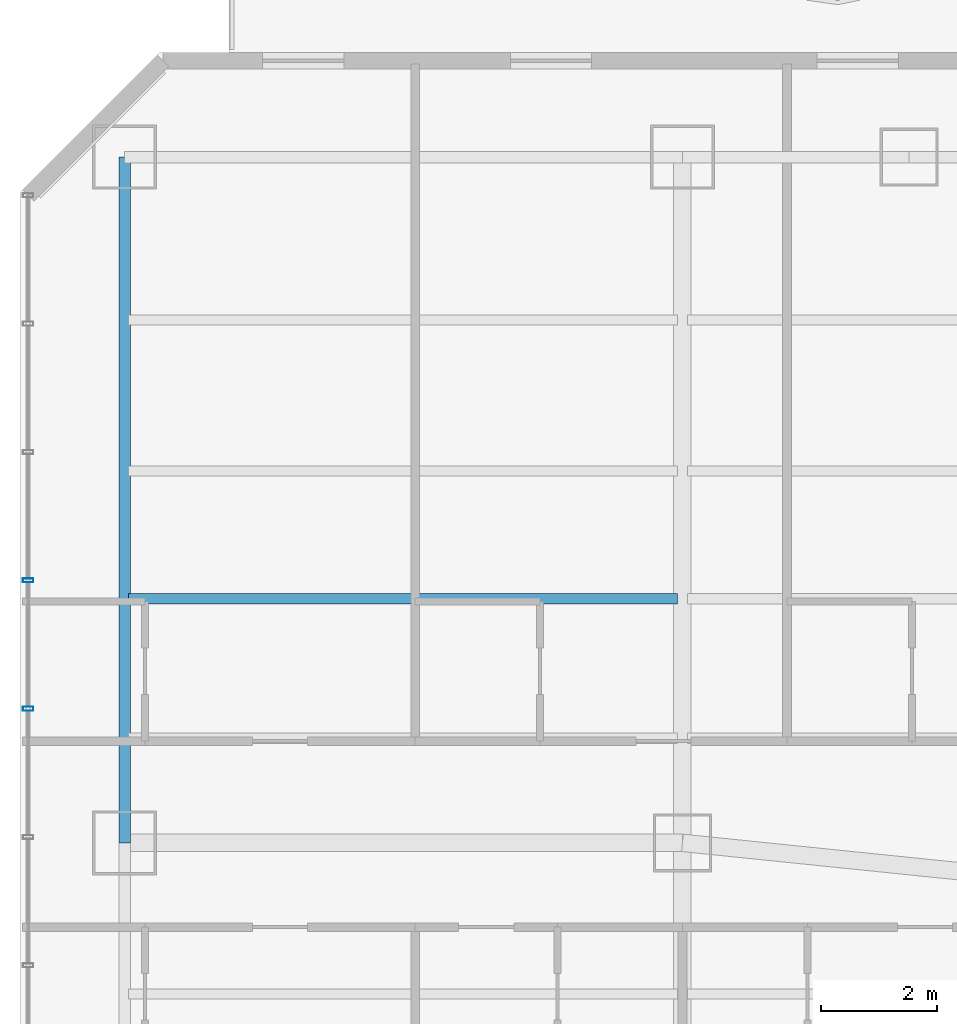
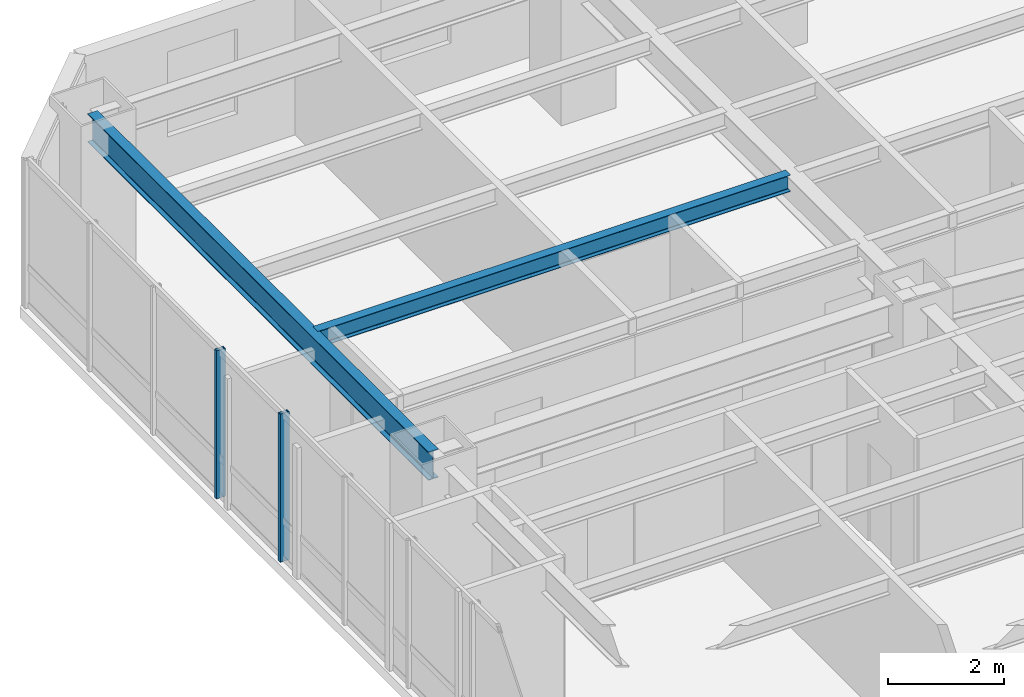
# One storey, part 14 of 32: 2 beams, 2 members, 1 element without a shape of its own.
"""IFC4 building model written with IfcOpenShell, lengths in metres."""

import ifcopenshell
import ifcopenshell.guid

model = None  # the IFC model being written
_history = None  # IfcOwnerHistory: only IFC2X3 demands one
_inside = {}  # id of a spatial element -> (the spatial element, [elements in it])
_under = {}  # id of a project, library or spatial element -> (it, [spatial elements below it])
_declared = {}  # id of a project -> (the project, [libraries it declares])
_typed = {}  # id of a type object -> (the type object, [elements of that type])
_made_of = {}  # id of a material, layer set ... -> (it, [elements and type objects made of it])


def new_model(schema):
    """Start an empty IFC model of exactly this schema.

    Asked for "IFC4X3", IfcOpenShell would pick the latest addendum, in which some entities
    have other attributes; the version numbers below select the first issue.
    IFC2X3 requires an IfcOwnerHistory on every rooted entity: one is made here for all.
    """
    global model, _history
    if schema == "IFC4X3":
        model = ifcopenshell.file(schema_version=(4, 3, 0, 0))
    else:
        model = ifcopenshell.file(schema=schema)
    _inside.clear()
    _under.clear()
    _declared.clear()
    _typed.clear()
    _made_of.clear()
    _history = None
    if model.schema == "IFC2X3":
        org = make("IfcOrganization", Name="unknown")
        user = make(
            "IfcPersonAndOrganization",
            ThePerson=make("IfcPerson", FamilyName="unknown"),
            TheOrganization=org,
        )
        app = make(
            "IfcApplication",
            ApplicationDeveloper=org,
            Version="unknown",
            ApplicationFullName="unknown",
            ApplicationIdentifier="unknown",
        )
        _history = make(
            "IfcOwnerHistory",
            OwningUser=user,
            OwningApplication=app,
            ChangeAction="ADDED",
            CreationDate=0,
        )
    return model


def make(cls, **values):
    """One entity of the class cls with the attributes given. An attribute that is None is left unset."""
    return model.create_entity(
        cls, **{name: value for name, value in values.items() if value is not None}
    )


def rooted(cls, **values):
    """An entity with a GlobalId (a new one), such as an element, a storey or a relation."""
    return make(cls, GlobalId=ifcopenshell.guid.new(), OwnerHistory=_history, **values)


def si_unit(unit_type, name, prefix=None):
    """IfcSIUnit, for example si_unit("LENGTHUNIT", "METRE", prefix="MILLI")."""
    return make("IfcSIUnit", UnitType=unit_type, Prefix=prefix, Name=name)


def assignment(units):
    """IfcUnitAssignment: the units of a project."""
    return None if units is None else make("IfcUnitAssignment", Units=units)


def point(xyz):
    """IfcCartesianPoint."""
    return None if xyz is None else make("IfcCartesianPoint", Coordinates=xyz)


def direction(xyz):
    """IfcDirection."""
    return None if xyz is None else make("IfcDirection", DirectionRatios=xyz)


def frame(location, z_axis=None, x_axis=None):
    """IfcAxis2Placement3D, a coordinate frame: its origin and axes. An axis left out is left unset."""
    return make(
        "IfcAxis2Placement3D",
        Location=point(location),
        Axis=direction(z_axis),
        RefDirection=direction(x_axis),
    )


def frame_2d(location, x_axis=None):
    """IfcAxis2Placement2D, a coordinate frame in the plane: its origin and x axis."""
    return make(
        "IfcAxis2Placement2D", Location=point(location), RefDirection=direction(x_axis)
    )


def origin():
    """The frame at (0, 0, 0) with its axes left unset."""
    return frame((0.0, 0.0, 0.0))


def origin_2d():
    """The frame at (0, 0) in the plane with its x axis left unset."""
    return frame_2d((0.0, 0.0))


def place(relative_to, where):
    """IfcLocalPlacement: puts the frame where relative to a parent placement (None: the world)."""
    return make(
        "IfcLocalPlacement", PlacementRelTo=relative_to, RelativePlacement=where
    )


def context(
    kind, dimensions, precision=None, world=None, true_north=None, identifier=None
):
    """IfcGeometricRepresentationContext, for example the 3D "Model" context."""
    return make(
        "IfcGeometricRepresentationContext",
        ContextIdentifier=identifier,
        ContextType=kind,
        CoordinateSpaceDimension=dimensions,
        Precision=precision,
        WorldCoordinateSystem=world,
        TrueNorth=true_north,
    )


def subcontext(parent, identifier, kind, view, scale=None):
    """IfcGeometricRepresentationSubContext, for example "Body" below "Model"."""
    return make(
        "IfcGeometricRepresentationSubContext",
        ContextIdentifier=identifier,
        ContextType=kind,
        ParentContext=parent,
        TargetScale=scale,
        TargetView=view,
    )


def project(units=None, contexts=None):
    """IfcProject with its units and contexts."""
    return rooted(
        "IfcProject",
        Name="project",
        RepresentationContexts=contexts,
        UnitsInContext=assignment(units),
    )


def spatial(cls, under=None, at=None, **own):
    """A site, building, storey or space (cls), placed at a placement, below another one or the project."""
    s = rooted(cls, ObjectPlacement=at, **own)
    if under is not None:
        _under.setdefault(under.id(), (under, []))[1].append(s)
    return s


def profile(cls, at=None, kind="AREA", **sizes):
    """A parametric profile (cls). Its sizes go by their IFC names, for example OverallWidth=200.0."""
    return make(cls, ProfileType=kind, Position=at, **sizes)


def hollow_rectangle(**sizes):
    """IfcRectangleHollowProfileDef."""
    return profile("IfcRectangleHollowProfileDef", **sizes)


def i_section(**sizes):
    """IfcIShapeProfileDef."""
    return profile("IfcIShapeProfileDef", **sizes)


def extrude(swept, where, along, depth):
    """IfcExtrudedAreaSolid: the profile swept, set in the frame where, extruded along a direction by depth."""
    return make(
        "IfcExtrudedAreaSolid",
        SweptArea=swept,
        Position=where,
        ExtrudedDirection=direction(along),
        Depth=depth,
    )


def shape(context_of_items, identifier, shape_type, items):
    """IfcShapeRepresentation: the items that make up one representation, for example the "Body"."""
    return make(
        "IfcShapeRepresentation",
        ContextOfItems=context_of_items,
        RepresentationIdentifier=identifier,
        RepresentationType=shape_type,
        Items=items,
    )


def material(Name=None, Category=None):
    """IfcMaterial."""
    return make("IfcMaterial", Name=Name, Category=Category)


def layer(
    of_material, thickness, ventilated=None, Name=None, Category=None, Priority=None
):
    """IfcMaterialLayer: one layer of a wall or slab, of a material (None: an air gap)."""
    return make(
        "IfcMaterialLayer",
        Material=of_material,
        LayerThickness=thickness,
        IsVentilated=ventilated,
        Name=Name,
        Category=Category,
        Priority=Priority,
    )


def layer_set(layers, Name=None):
    """IfcMaterialLayerSet."""
    return make("IfcMaterialLayerSet", MaterialLayers=layers, LayerSetName=Name)


def material_profile(
    of_material, cross_section, Name=None, Category=None, Priority=None
):
    """IfcMaterialProfile: a cross section and its material."""
    return make(
        "IfcMaterialProfile",
        Name=Name,
        Material=of_material,
        Profile=cross_section,
        Priority=Priority,
        Category=Category,
    )


def profile_set(profiles, Name=None, composite=None):
    """IfcMaterialProfileSet."""
    return make(
        "IfcMaterialProfileSet",
        Name=Name,
        MaterialProfiles=profiles,
        CompositeProfile=composite,
    )


def made_of(thing, what):
    """Note that an element or type object is made of a material, layer set ...; save() writes the relation."""
    if what is not None:
        _made_of.setdefault(what.id(), (what, []))[1].append(thing)
    return thing


def type_object(cls, material=None, **own):
    """A type object (cls), such as IfcWallType, which elements share."""
    return made_of(rooted(cls, **own), material)


def element(
    cls,
    number,
    at=None,
    inside=None,
    cuts=None,
    type_object=None,
    material=None,
    context=None,
    identifier="Body",
    shape_type=None,
    held_by="IfcProductDefinitionShape",
    body=None,
    shapes=None,
    **own,
):
    """One element of the class cls, such as IfcWall. Its Tag is "e" and its number.

    at: its placement. inside: the storey or other place that contains it. cuts: it is an
    opening in that element (IfcRelVoidsElement). A single representation is given by context,
    identifier, shape_type and body (its items); several are given by shapes. held_by: the class
    of the entity that holds the representations. save() writes the other relations.
    """
    e = rooted(cls, Tag="e%d" % number, ObjectPlacement=at, **own)
    if body is not None:
        shapes = [shape(context, identifier, shape_type, body)]
    if shapes is not None:
        e.Representation = make(held_by, Representations=shapes)
    if inside is not None:
        _inside.setdefault(inside.id(), (inside, []))[1].append(e)
    if cuts is not None:
        rooted(
            "IfcRelVoidsElement", RelatingBuildingElement=cuts, RelatedOpeningElement=e
        )
    if type_object is not None:
        _typed.setdefault(type_object.id(), (type_object, []))[1].append(e)
    return made_of(e, material)


def aggregate(whole, parts):
    """IfcRelAggregates: a whole, such as a stair, and the parts it consists of."""
    return rooted("IfcRelAggregates", RelatingObject=whole, RelatedObjects=parts)


def save(model, path):
    """Write the relations noted so far, then the file.

    IfcRelAggregates (storeys below a building ...), IfcRelContainedInSpatialStructure (elements
    in a storey), IfcRelDefinesByType, IfcRelAssociatesMaterial and IfcRelDeclares: one each for
    every whole, place, type object, material and project.
    """
    for whole, parts in _under.values():
        aggregate(whole, parts)
    for where, things in _inside.values():
        rooted(
            "IfcRelContainedInSpatialStructure",
            RelatedElements=things,
            RelatingStructure=where,
        )
    for kind, things in _typed.values():
        rooted("IfcRelDefinesByType", RelatedObjects=things, RelatingType=kind)
    for what, things in _made_of.values():
        rooted("IfcRelAssociatesMaterial", RelatedObjects=things, RelatingMaterial=what)
    for by, libraries in _declared.values():
        rooted("IfcRelDeclares", RelatingContext=by, RelatedDefinitions=libraries)
    model.write(path)


model = new_model("IFC4")

# Units and contexts
model_context = context("Model", 3, precision=1e-05, world=origin(), true_north=direction((0.0, 1.0)))
body_context = subcontext(model_context, "Body", "Model", "MODEL_VIEW")
ifc_project = project(units=[si_unit("LENGTHUNIT", "METRE"), si_unit("AREAUNIT", "SQUARE_METRE"), si_unit("VOLUMEUNIT", "CUBIC_METRE"), si_unit("PLANEANGLEUNIT", "RADIAN"), si_unit("MASSUNIT", "GRAM", prefix="KILO")], contexts=[model_context])

# Site, building, storey
site_placement = place(None, origin())
site = spatial("IfcSite", under=ifc_project, at=site_placement, CompositionType="ELEMENT")
building_placement = place(site_placement, origin())
building = spatial("IfcBuilding", under=site, at=building_placement, Name="Hatsunagi Terrace Concourse", CompositionType="ELEMENT")
storey_placement = place(building_placement, frame((0.0, 0.0, 36.60009765625)))
storey = spatial("IfcBuildingStorey", under=building, at=storey_placement, Name="L08", CompositionType="ELEMENT", Elevation=36.60009765625)

# Curtain wall, members
ifc_material_1 = material(Name="Anodised Aluminium Alloy 6063-T5", Category="aluminium")
ifc_layer = layer(ifc_material_1, 0.199951171875)
ifc_layer_set = layer_set([ifc_layer], Name="HotelFacade_CW02")
curtain_wall_type = type_object("IfcCurtainWallType", Name="HotelFacade_CW02", PredefinedType="NOTDEFINED", material=ifc_layer_set)
curtain_wall_placement = place(storey_placement, origin())
curtain_wall = element("IfcCurtainWall", 1, at=curtain_wall_placement, inside=storey, type_object=curtain_wall_type, Name="Unitised Curtain Wall CW-02 CW-L08-09", PredefinedType="NOTDEFINED")
ifc_material_2 = material(Name="Anodised Aluminium Alloy 6063-T5", Category="aluminium")
ifc_material_profile_1 = material_profile(ifc_material_2, hollow_rectangle(XDim=0.070068359375, YDim=0.179931640625, WallThickness=0.00390625, at=origin_2d()), Name="ALU-MUL-180x70x4")
ifc_profile_set_1 = profile_set([ifc_material_profile_1], Name="Anodised Aluminium Alloy 6063-T5")
member_type = type_object("IfcMemberType", Name="CurtainWallMullion_180x70", PredefinedType="MULLION", material=ifc_profile_set_1)
member_1_placement = place(storey_placement, frame((0.139892578125, 39.10791015625, 0.0), z_axis=(0.0, 0.0, 1.0), x_axis=(0.0, 1.0, 0.0)))
member_1 = element("IfcMember", 2, at=member_1_placement, type_object=member_type, Name="Curtain Wall Mullion MUL-02", PredefinedType="MULLION", context=body_context, shape_type="SweptSolid", body=[
    extrude(hollow_rectangle(XDim=0.070068359375, YDim=0.179931640625, WallThickness=0.00390625, at=origin_2d()), origin(), (0.0, 0.0, 1.0), 3.1298828125),
])
member_2_placement = place(storey_placement, frame((0.139892578125, 41.31689453125, 0.0), z_axis=(0.0, 0.0, 1.0), x_axis=(0.0, 1.0, 0.0)))
member_2 = element("IfcMember", 3, at=member_2_placement, type_object=member_type, Name="Curtain Wall Mullion MUL-02", PredefinedType="MULLION", context=body_context, shape_type="SweptSolid", body=[
    extrude(hollow_rectangle(XDim=0.070068359375, YDim=0.179931640625, WallThickness=0.00390625, at=origin_2d()), origin(), (0.0, 0.0, 1.0), 3.1298828125),
])
aggregate(curtain_wall, [member_1, member_2])

# Beams
ifc_material_3 = material(Name="Steel SN490B", Category="steel")
ifc_material_profile_2 = material_profile(ifc_material_3, i_section(OverallWidth=0.175048828125, OverallDepth=0.35009765625, WebThickness=0.007080078125, FlangeThickness=0.010986328125, FilletRadius=0.012939453125, at=origin_2d()), Name="H-350x175x7x11")
ifc_profile_set_2 = profile_set([ifc_material_profile_2], Name="Steel SN490B")
beam_type_1 = type_object("IfcBeamType", Name="HotelJoist_H_350x175", PredefinedType="JOIST", material=ifc_profile_set_2)
beam_1_placement = place(storey_placement, frame((1.864990234375, 41.0, 2.954833984375), z_axis=(1.0, 0.0, 0.0), x_axis=(0.0, 1.0, 0.0)))
element("IfcBeam", 4, at=beam_1_placement, inside=storey, type_object=beam_type_1, Name="Beam J-02 J-L08-W-1-410", PredefinedType="JOIST", context=body_context, shape_type="SweptSolid", body=[
    extrude(i_section(OverallWidth=0.175048828125, OverallDepth=0.35009765625, WebThickness=0.007080078125, FlangeThickness=0.010986328125, FilletRadius=0.012939453125, at=origin_2d()), origin(), (0.0, 0.0, 1.0), 9.449951171875),
])
ifc_material_4 = material(Name="Steel SN490B", Category="steel")
ifc_material_profile_3 = material_profile(ifc_material_4, i_section(OverallWidth=0.199951171875, OverallDepth=0.60009765625, WebThickness=0.010986328125, FlangeThickness=0.01708984375, FilletRadius=0.01806640625, at=origin_2d()), Name="H-600x200x11x17")
ifc_profile_set_3 = profile_set([ifc_material_profile_3], Name="Steel SN490B")
beam_type_2 = type_object("IfcBeamType", Name="PerimeterSpandrel_H_600x200", PredefinedType="SPANDREL", material=ifc_profile_set_3)
beam_2_placement = place(storey_placement, frame((1.800048828125, 36.800048828125, 2.829833984375), z_axis=(0.0, 1.0, 0.0), x_axis=(-1.0, 0.0, 0.0)))
element("IfcBeam", 5, at=beam_2_placement, inside=storey, type_object=beam_type_2, Name="Beam SP-01 BM-L08-NS-1-36", PredefinedType="SPANDREL", context=body_context, shape_type="SweptSolid", body=[
    extrude(i_section(OverallWidth=0.199951171875, OverallDepth=0.60009765625, WebThickness=0.010986328125, FlangeThickness=0.01708984375, FilletRadius=0.01806640625, at=origin_2d()), origin(), (0.0, 0.0, 1.0), 11.800048828125),
])

save(model, "model.ifc")
